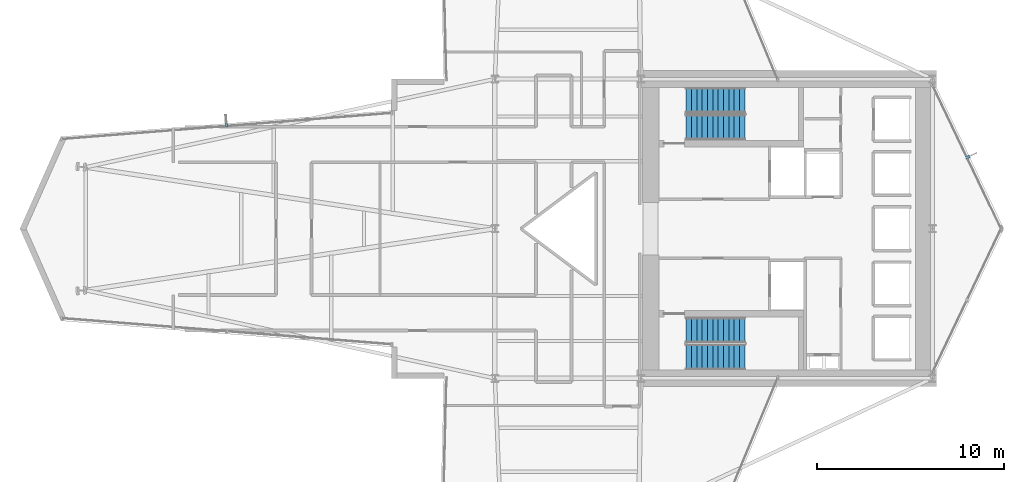
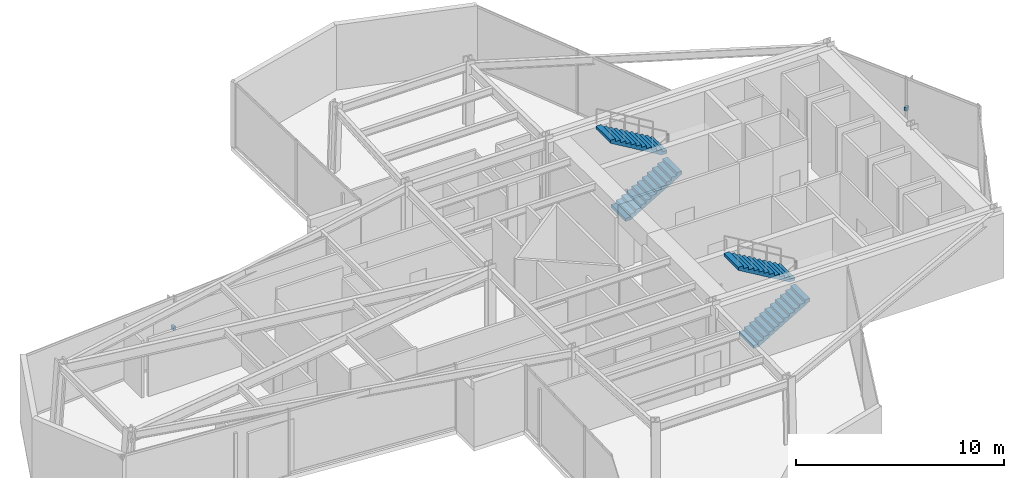
# One storey, part 24 of 25: 4 stair flights, 2 discrete accessories, 2 elements without a shape of their own.
"""IFC4 building model written with IfcOpenShell, lengths in metres."""

from ifc_helpers import new_model, si_unit, direction, frame, origin, origin_2d, place, context, subcontext, project, spatial, polyline, rectangle, outline, extrude, material, layer, layer_set, type_object, element, aggregate, save


model = new_model("IFC4")

# Units and contexts
model_context = context("Model", 3, precision=1e-05, world=origin(), true_north=direction((0.0, 1.0)))
body_context = subcontext(model_context, "Body", "Model", "MODEL_VIEW")
ifc_project = project(units=[si_unit("LENGTHUNIT", "METRE"), si_unit("AREAUNIT", "SQUARE_METRE"), si_unit("VOLUMEUNIT", "CUBIC_METRE"), si_unit("PLANEANGLEUNIT", "RADIAN"), si_unit("MASSUNIT", "GRAM", prefix="KILO")], contexts=[model_context])

# Site, building, storey
site_placement = place(None, origin())
site = spatial("IfcSite", under=ifc_project, at=site_placement, CompositionType="ELEMENT")
building_placement = place(site_placement, origin())
building = spatial("IfcBuilding", under=site, at=building_placement, Name="Veymaron Broadcast Tower", CompositionType="ELEMENT")
storey_placement = place(building_placement, frame((0.0, 0.0, 82.35009765625)))
storey = spatial("IfcBuildingStorey", under=building, at=storey_placement, Name="L18", CompositionType="ELEMENT", Elevation=82.35009765625)

# Stair, stair flights
ifc_material_1 = material(Name="Concrete C50/60", Category="concrete")
stair_type_1 = type_object("IfcStairType", Name="STAIR-CORE-1", PredefinedType="HALF_TURN_STAIR", material=ifc_material_1)
stair_1_placement = place(storey_placement, origin())
stair_1 = element("IfcStair", 1, at=stair_1_placement, inside=storey, type_object=stair_type_1, Name="L18 North protected dog-leg exit stair ST1", PredefinedType="HALF_TURN_STAIR")
ifc_material_2 = material(Name="Precast concrete C50/60", Category="concrete")
stair_flight_type = type_object("IfcStairFlightType", Name="FLT-CORE-RC", PredefinedType="STRAIGHT", material=ifc_material_2)
stair_flight_1_placement = place(storey_placement, frame((41.429931640625, 29.419921875, 0.0), z_axis=(0.0, 0.0, 1.0), x_axis=(1.0, 0.0, 0.0)))
stair_flight_1 = element("IfcStairFlight", 2, at=stair_flight_1_placement, type_object=stair_flight_type, Name="ST1 flight 1", NumberOfRisers=12, NumberOfTreads=11, PredefinedType="STRAIGHT", RiserHeight=0.16875, TreadLength=0.285, context=body_context, shape_type="SweptSolid", body=[
    extrude(outline(polyline([(0.0, 0.0), (0.0, 0.168701171875), (0.284912109375, 0.168701171875), (0.284912109375, 0.33740234375), (0.570068359375, 0.33740234375), (0.570068359375, 0.50634765625), (0.85498046875, 0.50634765625), (0.85498046875, 0.675048828125), (1.139892578125, 0.675048828125), (1.139892578125, 0.84375), (1.425048828125, 0.84375), (1.425048828125, 1.012451171875), (1.7099609375, 1.012451171875), (1.7099609375, 1.18115234375), (1.9951171875, 1.18115234375), (1.9951171875, 1.35009765625), (2.280029296875, 1.35009765625), (2.280029296875, 1.518798828125), (2.56494140625, 1.518798828125), (2.56494140625, 1.6875), (2.85009765625, 1.6875), (2.85009765625, 1.856201171875), (3.135009765625, 1.856201171875), (3.135009765625, 2.02490234375), (3.135009765625, 1.68212890625), (0.294189453125, 0.0), (0.0, 0.0)])), frame((0.0, 0.68994140625, 0.0), z_axis=(0.0, -1.0, 0.0), x_axis=(1.0, 0.0, 0.0)), (0.0, 0.0, 1.0), 1.3798828125),
])
stair_flight_2_placement = place(storey_placement, frame((44.56494140625, 30.860107421875, 2.02490234375), z_axis=(0.0, 0.0, 1.0), x_axis=(-1.0, 0.0, 0.0)))
stair_flight_2 = element("IfcStairFlight", 3, at=stair_flight_2_placement, type_object=stair_flight_type, Name="ST1 flight 2", NumberOfRisers=12, NumberOfTreads=11, PredefinedType="STRAIGHT", RiserHeight=0.16875, TreadLength=0.285, context=body_context, shape_type="SweptSolid", body=[
    extrude(outline(polyline([(0.0, 0.0), (0.0, 0.168701171875), (0.284912109375, 0.168701171875), (0.284912109375, 0.33740234375), (0.570068359375, 0.33740234375), (0.570068359375, 0.50634765625), (0.85498046875, 0.50634765625), (0.85498046875, 0.675048828125), (1.139892578125, 0.675048828125), (1.139892578125, 0.84375), (1.425048828125, 0.84375), (1.425048828125, 1.012451171875), (1.7099609375, 1.012451171875), (1.7099609375, 1.18115234375), (1.9951171875, 1.18115234375), (1.9951171875, 1.35009765625), (2.280029296875, 1.35009765625), (2.280029296875, 1.518798828125), (2.56494140625, 1.518798828125), (2.56494140625, 1.6875), (2.85009765625, 1.6875), (2.85009765625, 1.856201171875), (3.135009765625, 1.856201171875), (3.135009765625, 2.02490234375), (3.135009765625, 1.68212890625), (0.294189453125, 0.0), (0.0, 0.0)])), frame((0.0, 0.68994140625, 0.0), z_axis=(0.0, -1.0, 0.0), x_axis=(1.0, 0.0, 0.0)), (0.0, 0.0, 1.0), 1.3798828125),
])
aggregate(stair_1, [stair_flight_1, stair_flight_2])

stair_type_2 = type_object("IfcStairType", Name="STAIR-CORE-2", PredefinedType="HALF_TURN_STAIR", material=ifc_material_1)
stair_2_placement = place(storey_placement, origin())
stair_2 = element("IfcStair", 4, at=stair_2_placement, inside=storey, type_object=stair_type_2, Name="L18 South protected dog-leg exit stair ST2", PredefinedType="HALF_TURN_STAIR")
stair_flight_3_placement = place(storey_placement, frame((41.429931640625, 17.139892578125, 0.0), z_axis=(0.0, 0.0, 1.0), x_axis=(1.0, 0.0, 0.0)))
stair_flight_3 = element("IfcStairFlight", 5, at=stair_flight_3_placement, type_object=stair_flight_type, Name="ST2 flight 1", NumberOfRisers=12, NumberOfTreads=11, PredefinedType="STRAIGHT", RiserHeight=0.16875, TreadLength=0.285, context=body_context, shape_type="SweptSolid", body=[
    extrude(outline(polyline([(0.0, 0.0), (0.0, 0.168701171875), (0.284912109375, 0.168701171875), (0.284912109375, 0.33740234375), (0.570068359375, 0.33740234375), (0.570068359375, 0.50634765625), (0.85498046875, 0.50634765625), (0.85498046875, 0.675048828125), (1.139892578125, 0.675048828125), (1.139892578125, 0.84375), (1.425048828125, 0.84375), (1.425048828125, 1.012451171875), (1.7099609375, 1.012451171875), (1.7099609375, 1.18115234375), (1.9951171875, 1.18115234375), (1.9951171875, 1.35009765625), (2.280029296875, 1.35009765625), (2.280029296875, 1.518798828125), (2.56494140625, 1.518798828125), (2.56494140625, 1.6875), (2.85009765625, 1.6875), (2.85009765625, 1.856201171875), (3.135009765625, 1.856201171875), (3.135009765625, 2.02490234375), (3.135009765625, 1.68212890625), (0.294189453125, 0.0), (0.0, 0.0)])), frame((0.0, 0.68994140625, 0.0), z_axis=(0.0, -1.0, 0.0), x_axis=(1.0, 0.0, 0.0)), (0.0, 0.0, 1.0), 1.3798828125),
])
stair_flight_4_placement = place(storey_placement, frame((44.56494140625, 18.580078125, 2.02490234375), z_axis=(0.0, 0.0, 1.0), x_axis=(-1.0, 0.0, 0.0)))
stair_flight_4 = element("IfcStairFlight", 6, at=stair_flight_4_placement, type_object=stair_flight_type, Name="ST2 flight 2", NumberOfRisers=12, NumberOfTreads=11, PredefinedType="STRAIGHT", RiserHeight=0.16875, TreadLength=0.285, context=body_context, shape_type="SweptSolid", body=[
    extrude(outline(polyline([(0.0, 0.0), (0.0, 0.168701171875), (0.284912109375, 0.168701171875), (0.284912109375, 0.33740234375), (0.570068359375, 0.33740234375), (0.570068359375, 0.50634765625), (0.85498046875, 0.50634765625), (0.85498046875, 0.675048828125), (1.139892578125, 0.675048828125), (1.139892578125, 0.84375), (1.425048828125, 0.84375), (1.425048828125, 1.012451171875), (1.7099609375, 1.012451171875), (1.7099609375, 1.18115234375), (1.9951171875, 1.18115234375), (1.9951171875, 1.35009765625), (2.280029296875, 1.35009765625), (2.280029296875, 1.518798828125), (2.56494140625, 1.518798828125), (2.56494140625, 1.6875), (2.85009765625, 1.6875), (2.85009765625, 1.856201171875), (3.135009765625, 1.856201171875), (3.135009765625, 2.02490234375), (3.135009765625, 1.68212890625), (0.294189453125, 0.0), (0.0, 0.0)])), frame((0.0, 0.68994140625, 0.0), z_axis=(0.0, -1.0, 0.0), x_axis=(1.0, 0.0, 0.0)), (0.0, 0.0, 1.0), 1.3798828125),
])
aggregate(stair_2, [stair_flight_3, stair_flight_4])

# Discrete accessories
ifc_material_3 = material(Name="Austenitic stainless steel AISI 316L", Category="steel")
ifc_layer = layer(ifc_material_3, 0.1201171875)
ifc_layer_set = layer_set([ifc_layer], Name="Austenitic stainless steel AISI 316L")
discrete_accessory_type = type_object("IfcDiscreteAccessoryType", Name="ACC-BRKT-SS1", PredefinedType="BRACKET", material=ifc_layer_set)
for number, where, z_axis, x_axis, name in (
    (7, (56.5, 27.837158203125, 1.794921875), (0.0, 0.0, 1.0), (0.902314608105, 0.431078122851, 0.0), "CW-L18-E3-1 fin bracket 1"),
    (8, (16.850341796875, 29.5458984375, 1.794921875), (0.0, 0.0, 1.0), (-0.078772282668, 0.996892635886, 0.0), "CW-L18-E11-1 fin bracket 1"),
):
    element("IfcDiscreteAccessory", number, at=place(storey_placement, frame(where, z_axis=z_axis, x_axis=x_axis)), inside=storey, type_object=discrete_accessory_type, Name=name, PredefinedType="BRACKET", context=body_context, shape_type="SweptSolid", body=[
        extrude(rectangle(XDim=0.219970703125, YDim=0.139892578125, at=origin_2d()), origin(), (0.0, 0.0, 1.0), 0.219970703125),
    ])

save(model, "model.ifc")
